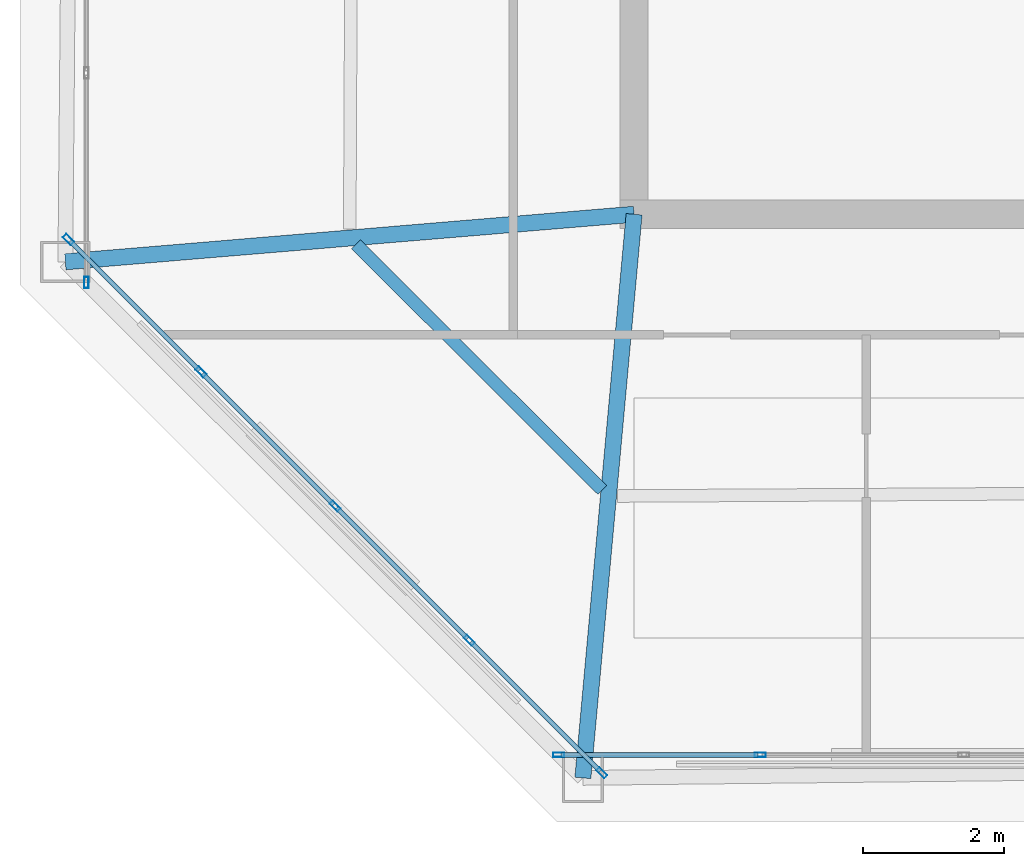
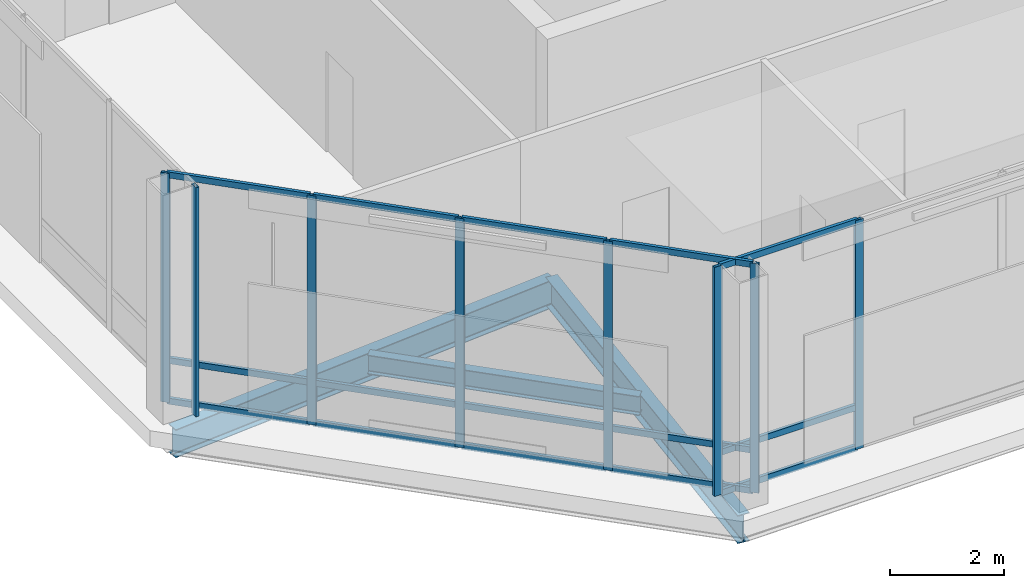
# One storey, part 2 of 21: 23 members, 3 beams, 3 elements without a shape of their own.
"""IFC4 building model written with IfcOpenShell, lengths in metres."""

from ifc_helpers import new_model, si_unit, direction, frame, origin, origin_2d, place, context, subcontext, project, spatial, hollow_rectangle, i_section, extrude, material, layer, layer_set, material_profile, profile_set, type_object, element, aggregate, save


model = new_model("IFC4")

# Units and contexts
model_context = context("Model", 3, precision=1e-05, world=origin(), true_north=direction((0.0, 1.0)))
body_context = subcontext(model_context, "Body", "Model", "MODEL_VIEW")
ifc_project = project(units=[si_unit("LENGTHUNIT", "METRE"), si_unit("AREAUNIT", "SQUARE_METRE"), si_unit("VOLUMEUNIT", "CUBIC_METRE"), si_unit("PLANEANGLEUNIT", "RADIAN"), si_unit("MASSUNIT", "GRAM", prefix="KILO")], contexts=[model_context])

# Site, building, storey
site_placement = place(None, origin())
site = spatial("IfcSite", under=ifc_project, at=site_placement, CompositionType="ELEMENT")
building_placement = place(site_placement, origin())
building = spatial("IfcBuilding", under=site, at=building_placement, Name="Caelvoria Tower", CompositionType="ELEMENT")
storey_placement = place(building_placement, frame((0.0, 0.0, 279.0)))
storey = spatial("IfcBuildingStorey", under=building, at=storey_placement, Name="L74", CompositionType="ELEMENT", Elevation=279.0)

# Curtain wall, members
ifc_material_1 = material(Name="Anodised Bronze Aluminium and Low-E Glass", Category="aluminium")
ifc_layer = layer(ifc_material_1, 0.205078125, Name="Anodised Bronze Aluminium and Low-E Glass")
ifc_layer_set = layer_set([ifc_layer], Name="CW System 5 Observation Panorama Low-Iron Facade - Anodised Bronze Aluminium and Low-E Glass")
curtain_wall_type = type_object("IfcCurtainWallType", Name="CW System 5 Observation Panorama Low-Iron Facade", PredefinedType="NOTDEFINED", material=ifc_layer_set)
curtain_wall_1_placement = place(storey_placement, origin())
curtain_wall_1 = element("IfcCurtainWall", 1, at=curtain_wall_1_placement, inside=storey, type_object=curtain_wall_type, Name="CW-05 Curtain Wall L74-E0", PredefinedType="NOTDEFINED")
ifc_material_2 = material(Name="Anodised Bronze Architectural Aluminium", Category="aluminium")
ifc_material_profile_1 = material_profile(ifc_material_2, hollow_rectangle(XDim=0.06494140625, YDim=0.159912109375, WallThickness=0.00390625, at=origin_2d()), Name="Anodised Bronze Architectural Aluminium")
ifc_profile_set_1 = profile_set([ifc_material_profile_1], Name="CW_MULL_65X160 - Anodised Bronze Architectural Aluminium")
member_type_1 = type_object("IfcMemberType", Name="Curtain Wall Mullion 65x160 Bronze Aluminium", PredefinedType="MULLION", material=ifc_profile_set_1)
member_1_placement = place(storey_placement, frame((35.9326171875, 16.340087890625, 0.0), z_axis=(0.0, 0.0, 1.0), x_axis=(0.0, 1.0, 0.0)))
member_1 = element("IfcMember", 2, at=member_1_placement, type_object=member_type_1, Name="CW-05 mullion 1", PredefinedType="MULLION", context=body_context, shape_type="SweptSolid", body=[
    extrude(hollow_rectangle(XDim=0.06494140625, YDim=0.159912109375, WallThickness=0.00390625, at=origin_2d()), origin(), (0.0, 0.0, 1.0), 4.89990234375),
])
member_2_placement = place(storey_placement, frame((38.78564453125, 16.340087890625, 0.0), z_axis=(0.0, 0.0, 1.0), x_axis=(0.0, 1.0, 0.0)))
member_2 = element("IfcMember", 3, at=member_2_placement, type_object=member_type_1, Name="CW-05 mullion 2", PredefinedType="MULLION", context=body_context, shape_type="SweptSolid", body=[
    extrude(hollow_rectangle(XDim=0.06494140625, YDim=0.159912109375, WallThickness=0.00390625, at=origin_2d()), origin(), (0.0, 0.0, 1.0), 4.89990234375),
])

# Curtain wall, member
curtain_wall_2_placement = place(storey_placement, origin())
curtain_wall_2 = element("IfcCurtainWall", 4, at=curtain_wall_2_placement, inside=storey, type_object=curtain_wall_type, Name="CW-05 Curtain Wall L74-E6", PredefinedType="NOTDEFINED")
member_3_placement = place(storey_placement, frame((29.239990234375, 23.032470703125, 0.0), z_axis=(0.0, 0.0, 1.0), x_axis=(1.0, 0.0, 0.0)))
member_3 = element("IfcMember", 5, at=member_3_placement, type_object=member_type_1, Name="CW-05 mullion 7", PredefinedType="MULLION", context=body_context, shape_type="SweptSolid", body=[
    extrude(hollow_rectangle(XDim=0.06494140625, YDim=0.159912109375, WallThickness=0.00390625, at=origin_2d()), origin(), (0.0, 0.0, 1.0), 4.89990234375),
])
aggregate(curtain_wall_2, [member_3])

# Curtain wall, members
curtain_wall_3_placement = place(storey_placement, origin())
curtain_wall_3 = element("IfcCurtainWall", 6, at=curtain_wall_3_placement, inside=storey, type_object=curtain_wall_type, Name="CW-05 Curtain Wall L74-E7", PredefinedType="NOTDEFINED")
member_4_placement = place(storey_placement, frame((28.98779296875, 23.6416015625, 0.0), z_axis=(0.0, 0.0, 1.0), x_axis=(0.707106781187, 0.707106781187, 0.0)))
member_4 = element("IfcMember", 7, at=member_4_placement, type_object=member_type_1, Name="CW-05 mullion 1", PredefinedType="MULLION", context=body_context, shape_type="SweptSolid", body=[
    extrude(hollow_rectangle(XDim=0.06494140625, YDim=0.159912109375, WallThickness=0.00390625, at=origin_2d()), origin(), (0.0, 0.0, 1.0), 4.89990234375),
])
member_5_placement = place(storey_placement, frame((30.86474609375, 21.7646484375, 0.0), z_axis=(0.0, 0.0, 1.0), x_axis=(0.707106781187, 0.707106781187, 0.0)))
member_5 = element("IfcMember", 8, at=member_5_placement, type_object=member_type_1, Name="CW-05 mullion 2", PredefinedType="MULLION", context=body_context, shape_type="SweptSolid", body=[
    extrude(hollow_rectangle(XDim=0.06494140625, YDim=0.159912109375, WallThickness=0.00390625, at=origin_2d()), origin(), (0.0, 0.0, 1.0), 4.89990234375),
])
member_6_placement = place(storey_placement, frame((32.7646484375, 19.86474609375, 0.0), z_axis=(0.0, 0.0, 1.0), x_axis=(0.707106781187, 0.707106781187, 0.0)))
member_6 = element("IfcMember", 9, at=member_6_placement, type_object=member_type_1, Name="CW-05 mullion 3", PredefinedType="MULLION", context=body_context, shape_type="SweptSolid", body=[
    extrude(hollow_rectangle(XDim=0.06494140625, YDim=0.159912109375, WallThickness=0.00390625, at=origin_2d()), origin(), (0.0, 0.0, 1.0), 4.89990234375),
])
member_7_placement = place(storey_placement, frame((34.664794921875, 17.964599609375, 0.0), z_axis=(0.0, 0.0, 1.0), x_axis=(0.707106781187, 0.707106781187, 0.0)))
member_7 = element("IfcMember", 10, at=member_7_placement, type_object=member_type_1, Name="CW-05 mullion 4", PredefinedType="MULLION", context=body_context, shape_type="SweptSolid", body=[
    extrude(hollow_rectangle(XDim=0.06494140625, YDim=0.159912109375, WallThickness=0.00390625, at=origin_2d()), origin(), (0.0, 0.0, 1.0), 4.89990234375),
])
member_8_placement = place(storey_placement, frame((36.541748046875, 16.087646484375, 0.0), z_axis=(0.0, 0.0, 1.0), x_axis=(0.707106781187, 0.707106781187, 0.0)))
member_8 = element("IfcMember", 11, at=member_8_placement, type_object=member_type_1, Name="CW-05 mullion 5", PredefinedType="MULLION", context=body_context, shape_type="SweptSolid", body=[
    extrude(hollow_rectangle(XDim=0.06494140625, YDim=0.159912109375, WallThickness=0.00390625, at=origin_2d()), origin(), (0.0, 0.0, 1.0), 4.89990234375),
])

# Member
ifc_material_profile_2 = material_profile(ifc_material_2, hollow_rectangle(XDim=0.06494140625, YDim=0.1298828125, WallThickness=0.00341796875, at=origin_2d()), Name="Anodised Bronze Architectural Aluminium")
ifc_profile_set_2 = profile_set([ifc_material_profile_2], Name="CW_TRAN_65X130 - Anodised Bronze Architectural Aluminium")
member_type_2 = type_object("IfcMemberType", Name="Curtain Wall Transom 65x130 Bronze Aluminium", PredefinedType="USERDEFINED", material=ifc_profile_set_2)
member_9_placement = place(storey_placement, frame((35.965087890625, 16.340087890625, 0.032470703125), z_axis=(1.0, 0.0, 0.0), x_axis=(0.0, 1.0, 0.0)))
member_9 = element("IfcMember", 12, at=member_9_placement, type_object=member_type_2, Name="CW-05 transom 1.1", ObjectType="TRANSOM", PredefinedType="USERDEFINED", context=body_context, shape_type="SweptSolid", body=[
    extrude(hollow_rectangle(XDim=0.06494140625, YDim=0.1298828125, WallThickness=0.00341796875, at=origin_2d()), origin(), (0.0, 0.0, 1.0), 2.7880859375),
])

member_10_placement = place(storey_placement, frame((35.965087890625, 16.340087890625, 0.89990234375), z_axis=(1.0, 0.0, 0.0), x_axis=(0.0, 1.0, 0.0)))
member_10 = element("IfcMember", 13, at=member_10_placement, type_object=member_type_2, Name="CW-05 transom 1.2", ObjectType="TRANSOM", PredefinedType="USERDEFINED", context=body_context, shape_type="SweptSolid", body=[
    extrude(hollow_rectangle(XDim=0.06494140625, YDim=0.1298828125, WallThickness=0.00341796875, at=origin_2d()), origin(), (0.0, 0.0, 1.0), 2.7880859375),
])

member_11_placement = place(storey_placement, frame((35.965087890625, 16.340087890625, 4.867431640625), z_axis=(1.0, 0.0, 0.0), x_axis=(0.0, 1.0, 0.0)))
member_11 = element("IfcMember", 14, at=member_11_placement, type_object=member_type_2, Name="CW-05 transom 1.3", ObjectType="TRANSOM", PredefinedType="USERDEFINED", context=body_context, shape_type="SweptSolid", body=[
    extrude(hollow_rectangle(XDim=0.06494140625, YDim=0.1298828125, WallThickness=0.00341796875, at=origin_2d()), origin(), (0.0, 0.0, 1.0), 2.7880859375),
])

aggregate(curtain_wall_1, [member_1, member_2, member_9, member_10, member_11])

member_12_placement = place(storey_placement, frame((29.0107421875, 23.61865234375, 0.032470703125), z_axis=(0.707106781187, -0.707106781187, 0.0), x_axis=(0.707106781187, 0.707106781187, 0.0)))
member_12 = element("IfcMember", 15, at=member_12_placement, type_object=member_type_2, Name="CW-05 transom 1.1", ObjectType="TRANSOM", PredefinedType="USERDEFINED", context=body_context, shape_type="SweptSolid", body=[
    extrude(hollow_rectangle(XDim=0.06494140625, YDim=0.1298828125, WallThickness=0.00341796875, at=origin_2d()), origin(), (0.0, 0.0, 1.0), 2.589599609375),
])

member_13_placement = place(storey_placement, frame((29.0107421875, 23.61865234375, 0.89990234375), z_axis=(0.707106781187, -0.707106781187, 0.0), x_axis=(0.707106781187, 0.707106781187, 0.0)))
member_13 = element("IfcMember", 16, at=member_13_placement, type_object=member_type_2, Name="CW-05 transom 1.2", ObjectType="TRANSOM", PredefinedType="USERDEFINED", context=body_context, shape_type="SweptSolid", body=[
    extrude(hollow_rectangle(XDim=0.06494140625, YDim=0.1298828125, WallThickness=0.00341796875, at=origin_2d()), origin(), (0.0, 0.0, 1.0), 2.589599609375),
])

member_14_placement = place(storey_placement, frame((29.0107421875, 23.61865234375, 4.867431640625), z_axis=(0.707106781187, -0.707106781187, 0.0), x_axis=(0.707106781187, 0.707106781187, 0.0)))
member_14 = element("IfcMember", 17, at=member_14_placement, type_object=member_type_2, Name="CW-05 transom 1.3", ObjectType="TRANSOM", PredefinedType="USERDEFINED", context=body_context, shape_type="SweptSolid", body=[
    extrude(hollow_rectangle(XDim=0.06494140625, YDim=0.1298828125, WallThickness=0.00341796875, at=origin_2d()), origin(), (0.0, 0.0, 1.0), 2.589599609375),
])

member_15_placement = place(storey_placement, frame((30.8876953125, 21.74169921875, 0.032470703125), z_axis=(0.707106781187, -0.707106781187, 0.0), x_axis=(0.707106781187, 0.707106781187, 0.0)))
member_15 = element("IfcMember", 18, at=member_15_placement, type_object=member_type_2, Name="CW-05 transom 2.1", ObjectType="TRANSOM", PredefinedType="USERDEFINED", context=body_context, shape_type="SweptSolid", body=[
    extrude(hollow_rectangle(XDim=0.06494140625, YDim=0.1298828125, WallThickness=0.00341796875, at=origin_2d()), origin(), (0.0, 0.0, 1.0), 2.6220703125),
])

member_16_placement = place(storey_placement, frame((30.8876953125, 21.74169921875, 0.89990234375), z_axis=(0.707106781187, -0.707106781187, 0.0), x_axis=(0.707106781187, 0.707106781187, 0.0)))
member_16 = element("IfcMember", 19, at=member_16_placement, type_object=member_type_2, Name="CW-05 transom 2.2", ObjectType="TRANSOM", PredefinedType="USERDEFINED", context=body_context, shape_type="SweptSolid", body=[
    extrude(hollow_rectangle(XDim=0.06494140625, YDim=0.1298828125, WallThickness=0.00341796875, at=origin_2d()), origin(), (0.0, 0.0, 1.0), 2.6220703125),
])

member_17_placement = place(storey_placement, frame((30.8876953125, 21.74169921875, 4.867431640625), z_axis=(0.707106781187, -0.707106781187, 0.0), x_axis=(0.707106781187, 0.707106781187, 0.0)))
member_17 = element("IfcMember", 20, at=member_17_placement, type_object=member_type_2, Name="CW-05 transom 2.3", ObjectType="TRANSOM", PredefinedType="USERDEFINED", context=body_context, shape_type="SweptSolid", body=[
    extrude(hollow_rectangle(XDim=0.06494140625, YDim=0.1298828125, WallThickness=0.00341796875, at=origin_2d()), origin(), (0.0, 0.0, 1.0), 2.6220703125),
])

member_18_placement = place(storey_placement, frame((32.78759765625, 19.841796875, 0.032470703125), z_axis=(0.707106781187, -0.707106781187, 0.0), x_axis=(0.707106781187, 0.707106781187, 0.0)))
member_18 = element("IfcMember", 21, at=member_18_placement, type_object=member_type_2, Name="CW-05 transom 3.1", ObjectType="TRANSOM", PredefinedType="USERDEFINED", context=body_context, shape_type="SweptSolid", body=[
    extrude(hollow_rectangle(XDim=0.06494140625, YDim=0.1298828125, WallThickness=0.00341796875, at=origin_2d()), origin(), (0.0, 0.0, 1.0), 2.6220703125),
])

member_19_placement = place(storey_placement, frame((32.78759765625, 19.841796875, 0.89990234375), z_axis=(0.707106781187, -0.707106781187, 0.0), x_axis=(0.707106781187, 0.707106781187, 0.0)))
member_19 = element("IfcMember", 22, at=member_19_placement, type_object=member_type_2, Name="CW-05 transom 3.2", ObjectType="TRANSOM", PredefinedType="USERDEFINED", context=body_context, shape_type="SweptSolid", body=[
    extrude(hollow_rectangle(XDim=0.06494140625, YDim=0.1298828125, WallThickness=0.00341796875, at=origin_2d()), origin(), (0.0, 0.0, 1.0), 2.6220703125),
])

member_20_placement = place(storey_placement, frame((32.78759765625, 19.841796875, 4.867431640625), z_axis=(0.707106781187, -0.707106781187, 0.0), x_axis=(0.707106781187, 0.707106781187, 0.0)))
member_20 = element("IfcMember", 23, at=member_20_placement, type_object=member_type_2, Name="CW-05 transom 3.3", ObjectType="TRANSOM", PredefinedType="USERDEFINED", context=body_context, shape_type="SweptSolid", body=[
    extrude(hollow_rectangle(XDim=0.06494140625, YDim=0.1298828125, WallThickness=0.00341796875, at=origin_2d()), origin(), (0.0, 0.0, 1.0), 2.6220703125),
])

member_21_placement = place(storey_placement, frame((34.687744140625, 17.941650390625, 0.032470703125), z_axis=(0.707106781187, -0.707106781187, 0.0), x_axis=(0.707106781187, 0.707106781187, 0.0)))
member_21 = element("IfcMember", 24, at=member_21_placement, type_object=member_type_2, Name="CW-05 transom 4.1", ObjectType="TRANSOM", PredefinedType="USERDEFINED", context=body_context, shape_type="SweptSolid", body=[
    extrude(hollow_rectangle(XDim=0.06494140625, YDim=0.1298828125, WallThickness=0.00341796875, at=origin_2d()), origin(), (0.0, 0.0, 1.0), 2.589599609375),
])

member_22_placement = place(storey_placement, frame((34.687744140625, 17.941650390625, 0.89990234375), z_axis=(0.707106781187, -0.707106781187, 0.0), x_axis=(0.707106781187, 0.707106781187, 0.0)))
member_22 = element("IfcMember", 25, at=member_22_placement, type_object=member_type_2, Name="CW-05 transom 4.2", ObjectType="TRANSOM", PredefinedType="USERDEFINED", context=body_context, shape_type="SweptSolid", body=[
    extrude(hollow_rectangle(XDim=0.06494140625, YDim=0.1298828125, WallThickness=0.00341796875, at=origin_2d()), origin(), (0.0, 0.0, 1.0), 2.589599609375),
])

member_23_placement = place(storey_placement, frame((34.687744140625, 17.941650390625, 4.867431640625), z_axis=(0.707106781187, -0.707106781187, 0.0), x_axis=(0.707106781187, 0.707106781187, 0.0)))
member_23 = element("IfcMember", 26, at=member_23_placement, type_object=member_type_2, Name="CW-05 transom 4.3", ObjectType="TRANSOM", PredefinedType="USERDEFINED", context=body_context, shape_type="SweptSolid", body=[
    extrude(hollow_rectangle(XDim=0.06494140625, YDim=0.1298828125, WallThickness=0.00341796875, at=origin_2d()), origin(), (0.0, 0.0, 1.0), 2.589599609375),
])

aggregate(curtain_wall_3, [member_4, member_5, member_6, member_7, member_8, member_12, member_13, member_14, member_15, member_16, member_17, member_18, member_19, member_20, member_21, member_22, member_23])

# Beams
ifc_material_3 = material(Name="Structural Steel ASTM A992 Gr.50", Category="steel")
ifc_material_profile_3 = material_profile(ifc_material_3, i_section(OverallWidth=0.22802734375, OverallDepth=0.60302734375, WebThickness=0.010498046875, FlangeThickness=0.014892578125, FilletRadius=0.01806640625, at=origin_2d()), Name="Structural Steel ASTM A992 Gr.50")
ifc_profile_set_3 = profile_set([ifc_material_profile_3], Name="W610X101 - Structural Steel ASTM A992 Gr.50")
beam_type_1 = type_object("IfcBeamType", Name="Primary Floor Girder W610X101", PredefinedType="BEAM", material=ifc_profile_set_3)
beam_1_placement = place(storey_placement, frame((37.0, 24.0, -0.6416015625), z_axis=(-0.090527509595, -0.995893955201, 0.0), x_axis=(0.995893955201, -0.090527509595, 0.0)))
element("IfcBeam", 27, at=beam_1_placement, inside=storey, type_object=beam_type_1, Name="Primary Floor Girder L74-00", PredefinedType="BEAM", context=body_context, shape_type="SweptSolid", body=[
    extrude(i_section(OverallWidth=0.22802734375, OverallDepth=0.60302734375, WebThickness=0.010498046875, FlangeThickness=0.014892578125, FilletRadius=0.01806640625, at=origin_2d()), origin(), (0.0, 0.0, 1.0), 8.017822265625),
])
beam_2_placement = place(storey_placement, frame((37.0, 24.0, -0.6416015625), z_axis=(-0.996524486988, -0.083300341138, 0.0), x_axis=(0.083300341138, -0.996524486988, 0.0)))
element("IfcBeam", 28, at=beam_2_placement, inside=storey, type_object=beam_type_1, Name="Primary Floor Girder L74-11", PredefinedType="BEAM", context=body_context, shape_type="SweptSolid", body=[
    extrude(i_section(OverallWidth=0.22802734375, OverallDepth=0.60302734375, WebThickness=0.010498046875, FlangeThickness=0.014892578125, FilletRadius=0.01806640625, at=origin_2d()), origin(), (0.0, 0.0, 1.0), 8.086181640625),
])
ifc_material_profile_4 = material_profile(ifc_material_3, i_section(OverallWidth=0.177978515625, OverallDepth=0.406982421875, WebThickness=0.0078125, FlangeThickness=0.0126953125, FilletRadius=0.013916015625, at=origin_2d()), Name="Structural Steel ASTM A992 Gr.50")
ifc_profile_set_4 = profile_set([ifc_material_profile_4], Name="W410X60 - Structural Steel ASTM A992 Gr.50")
beam_type_2 = type_object("IfcBeamType", Name="Secondary Floor Beam W410X60", PredefinedType="BEAM", material=ifc_profile_set_4)
beam_3_placement = place(storey_placement, frame((33.059326171875, 23.574951171875, -0.54345703125), z_axis=(0.708146533194, -0.706065498042, 0.0), x_axis=(0.706065498042, 0.708146533194, 0.0)))
element("IfcBeam", 29, at=beam_3_placement, inside=storey, type_object=beam_type_2, Name="Secondary Floor Beam L74-11", PredefinedType="BEAM", context=body_context, shape_type="SweptSolid", body=[
    extrude(i_section(OverallWidth=0.177978515625, OverallDepth=0.406982421875, WebThickness=0.0078125, FlangeThickness=0.0126953125, FilletRadius=0.013916015625, at=origin_2d()), origin(), (0.0, 0.0, 1.0), 4.92724609375),
])

save(model, "model.ifc")
